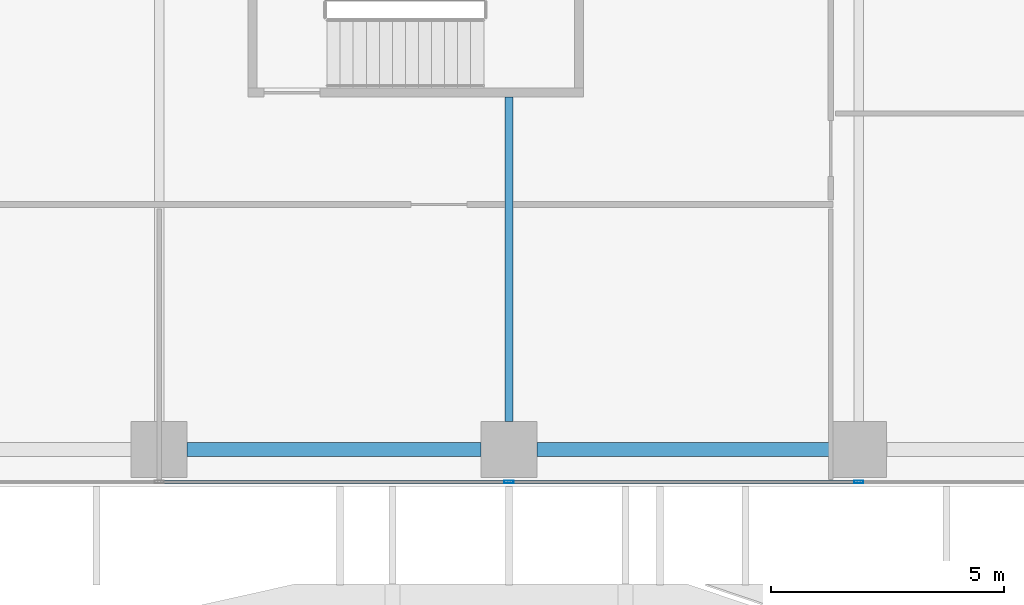
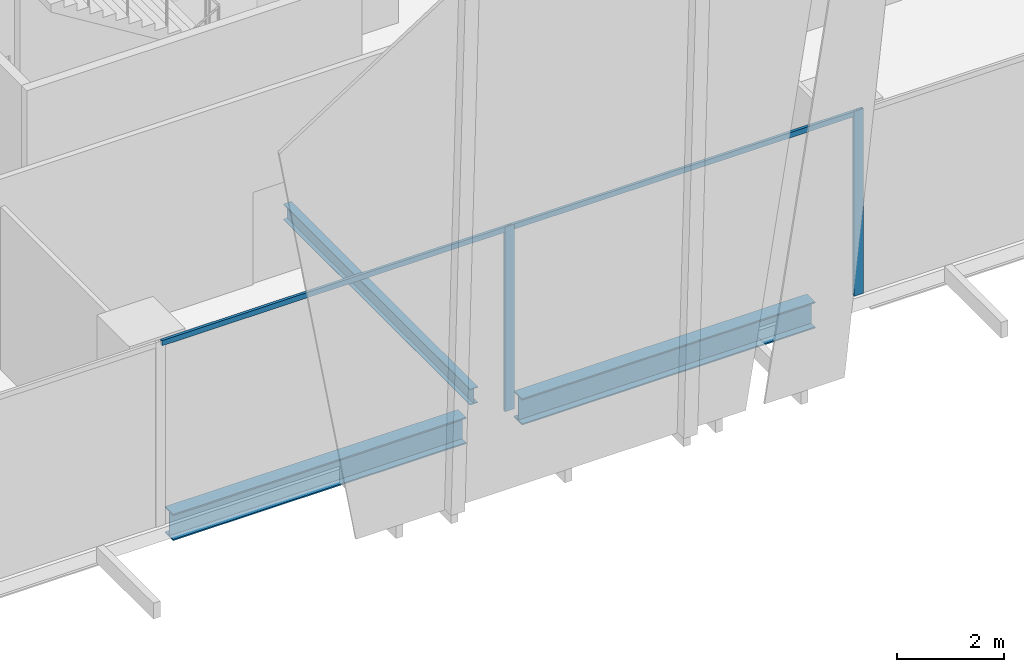
# One storey, part 3 of 37: 4 members, 3 beams, 1 element without a shape of its own.
"""IFC4 building model written with IfcOpenShell, lengths in metres."""

import ifcopenshell
import ifcopenshell.guid

model = None  # the IFC model being written
_history = None  # IfcOwnerHistory: only IFC2X3 demands one
_inside = {}  # id of a spatial element -> (the spatial element, [elements in it])
_under = {}  # id of a project, library or spatial element -> (it, [spatial elements below it])
_declared = {}  # id of a project -> (the project, [libraries it declares])
_typed = {}  # id of a type object -> (the type object, [elements of that type])
_made_of = {}  # id of a material, layer set ... -> (it, [elements and type objects made of it])


def new_model(schema):
    """Start an empty IFC model of exactly this schema.

    Asked for "IFC4X3", IfcOpenShell would pick the latest addendum, in which some entities
    have other attributes; the version numbers below select the first issue.
    IFC2X3 requires an IfcOwnerHistory on every rooted entity: one is made here for all.
    """
    global model, _history
    if schema == "IFC4X3":
        model = ifcopenshell.file(schema_version=(4, 3, 0, 0))
    else:
        model = ifcopenshell.file(schema=schema)
    _inside.clear()
    _under.clear()
    _declared.clear()
    _typed.clear()
    _made_of.clear()
    _history = None
    if model.schema == "IFC2X3":
        org = make("IfcOrganization", Name="unknown")
        user = make(
            "IfcPersonAndOrganization",
            ThePerson=make("IfcPerson", FamilyName="unknown"),
            TheOrganization=org,
        )
        app = make(
            "IfcApplication",
            ApplicationDeveloper=org,
            Version="unknown",
            ApplicationFullName="unknown",
            ApplicationIdentifier="unknown",
        )
        _history = make(
            "IfcOwnerHistory",
            OwningUser=user,
            OwningApplication=app,
            ChangeAction="ADDED",
            CreationDate=0,
        )
    return model


def make(cls, **values):
    """One entity of the class cls with the attributes given. An attribute that is None is left unset."""
    return model.create_entity(
        cls, **{name: value for name, value in values.items() if value is not None}
    )


def rooted(cls, **values):
    """An entity with a GlobalId (a new one), such as an element, a storey or a relation."""
    return make(cls, GlobalId=ifcopenshell.guid.new(), OwnerHistory=_history, **values)


def si_unit(unit_type, name, prefix=None):
    """IfcSIUnit, for example si_unit("LENGTHUNIT", "METRE", prefix="MILLI")."""
    return make("IfcSIUnit", UnitType=unit_type, Prefix=prefix, Name=name)


def assignment(units):
    """IfcUnitAssignment: the units of a project."""
    return None if units is None else make("IfcUnitAssignment", Units=units)


def point(xyz):
    """IfcCartesianPoint."""
    return None if xyz is None else make("IfcCartesianPoint", Coordinates=xyz)


def direction(xyz):
    """IfcDirection."""
    return None if xyz is None else make("IfcDirection", DirectionRatios=xyz)


def frame(location, z_axis=None, x_axis=None):
    """IfcAxis2Placement3D, a coordinate frame: its origin and axes. An axis left out is left unset."""
    return make(
        "IfcAxis2Placement3D",
        Location=point(location),
        Axis=direction(z_axis),
        RefDirection=direction(x_axis),
    )


def frame_2d(location, x_axis=None):
    """IfcAxis2Placement2D, a coordinate frame in the plane: its origin and x axis."""
    return make(
        "IfcAxis2Placement2D", Location=point(location), RefDirection=direction(x_axis)
    )


def origin():
    """The frame at (0, 0, 0) with its axes left unset."""
    return frame((0.0, 0.0, 0.0))


def origin_2d():
    """The frame at (0, 0) in the plane with its x axis left unset."""
    return frame_2d((0.0, 0.0))


def place(relative_to, where):
    """IfcLocalPlacement: puts the frame where relative to a parent placement (None: the world)."""
    return make(
        "IfcLocalPlacement", PlacementRelTo=relative_to, RelativePlacement=where
    )


def context(
    kind, dimensions, precision=None, world=None, true_north=None, identifier=None
):
    """IfcGeometricRepresentationContext, for example the 3D "Model" context."""
    return make(
        "IfcGeometricRepresentationContext",
        ContextIdentifier=identifier,
        ContextType=kind,
        CoordinateSpaceDimension=dimensions,
        Precision=precision,
        WorldCoordinateSystem=world,
        TrueNorth=true_north,
    )


def subcontext(parent, identifier, kind, view, scale=None):
    """IfcGeometricRepresentationSubContext, for example "Body" below "Model"."""
    return make(
        "IfcGeometricRepresentationSubContext",
        ContextIdentifier=identifier,
        ContextType=kind,
        ParentContext=parent,
        TargetScale=scale,
        TargetView=view,
    )


def project(units=None, contexts=None):
    """IfcProject with its units and contexts."""
    return rooted(
        "IfcProject",
        Name="project",
        RepresentationContexts=contexts,
        UnitsInContext=assignment(units),
    )


def spatial(cls, under=None, at=None, **own):
    """A site, building, storey or space (cls), placed at a placement, below another one or the project."""
    s = rooted(cls, ObjectPlacement=at, **own)
    if under is not None:
        _under.setdefault(under.id(), (under, []))[1].append(s)
    return s


def profile(cls, at=None, kind="AREA", **sizes):
    """A parametric profile (cls). Its sizes go by their IFC names, for example OverallWidth=200.0."""
    return make(cls, ProfileType=kind, Position=at, **sizes)


def hollow_rectangle(**sizes):
    """IfcRectangleHollowProfileDef."""
    return profile("IfcRectangleHollowProfileDef", **sizes)


def i_section(**sizes):
    """IfcIShapeProfileDef."""
    return profile("IfcIShapeProfileDef", **sizes)


def extrude(swept, where, along, depth):
    """IfcExtrudedAreaSolid: the profile swept, set in the frame where, extruded along a direction by depth."""
    return make(
        "IfcExtrudedAreaSolid",
        SweptArea=swept,
        Position=where,
        ExtrudedDirection=direction(along),
        Depth=depth,
    )


def shape(context_of_items, identifier, shape_type, items):
    """IfcShapeRepresentation: the items that make up one representation, for example the "Body"."""
    return make(
        "IfcShapeRepresentation",
        ContextOfItems=context_of_items,
        RepresentationIdentifier=identifier,
        RepresentationType=shape_type,
        Items=items,
    )


def source(mapping_origin, context_of_items, identifier, shape_type, items):
    """IfcRepresentationMap: a shape defined once, which mapped items show again and again."""
    return make(
        "IfcRepresentationMap",
        MappingOrigin=mapping_origin,
        MappedRepresentation=shape(context_of_items, identifier, shape_type, items),
    )


def transform(
    local_origin,
    x_axis=None,
    y_axis=None,
    z_axis=None,
    scale=None,
    scale2=None,
    scale3=None,
    uniform=True,
):
    """IfcCartesianTransformationOperator3D, or its non-uniform kind. x_axis, y_axis, z_axis: its Axis1, 2, 3."""
    if uniform:
        return make(
            "IfcCartesianTransformationOperator3D",
            Axis1=direction(x_axis),
            Axis2=direction(y_axis),
            LocalOrigin=point(local_origin),
            Scale=scale,
            Axis3=direction(z_axis),
        )
    return make(
        "IfcCartesianTransformationOperator3DnonUniform",
        Axis1=direction(x_axis),
        Axis2=direction(y_axis),
        LocalOrigin=point(local_origin),
        Scale=scale,
        Axis3=direction(z_axis),
        Scale2=scale2,
        Scale3=scale3,
    )


def mapped(mapping_source, mapping_target):
    """IfcMappedItem: shows the shape of a source again, moved by a transform."""
    return make(
        "IfcMappedItem", MappingSource=mapping_source, MappingTarget=mapping_target
    )


def material(Name=None, Category=None):
    """IfcMaterial."""
    return make("IfcMaterial", Name=Name, Category=Category)


def material_profile(
    of_material, cross_section, Name=None, Category=None, Priority=None
):
    """IfcMaterialProfile: a cross section and its material."""
    return make(
        "IfcMaterialProfile",
        Name=Name,
        Material=of_material,
        Profile=cross_section,
        Priority=Priority,
        Category=Category,
    )


def profile_set(profiles, Name=None, composite=None):
    """IfcMaterialProfileSet."""
    return make(
        "IfcMaterialProfileSet",
        Name=Name,
        MaterialProfiles=profiles,
        CompositeProfile=composite,
    )


def made_of(thing, what):
    """Note that an element or type object is made of a material, layer set ...; save() writes the relation."""
    if what is not None:
        _made_of.setdefault(what.id(), (what, []))[1].append(thing)
    return thing


def type_object(cls, material=None, **own):
    """A type object (cls), such as IfcWallType, which elements share."""
    return made_of(rooted(cls, **own), material)


def element(
    cls,
    number,
    at=None,
    inside=None,
    cuts=None,
    type_object=None,
    material=None,
    context=None,
    identifier="Body",
    shape_type=None,
    held_by="IfcProductDefinitionShape",
    body=None,
    shapes=None,
    **own,
):
    """One element of the class cls, such as IfcWall. Its Tag is "e" and its number.

    at: its placement. inside: the storey or other place that contains it. cuts: it is an
    opening in that element (IfcRelVoidsElement). A single representation is given by context,
    identifier, shape_type and body (its items); several are given by shapes. held_by: the class
    of the entity that holds the representations. save() writes the other relations.
    """
    e = rooted(cls, Tag="e%d" % number, ObjectPlacement=at, **own)
    if body is not None:
        shapes = [shape(context, identifier, shape_type, body)]
    if shapes is not None:
        e.Representation = make(held_by, Representations=shapes)
    if inside is not None:
        _inside.setdefault(inside.id(), (inside, []))[1].append(e)
    if cuts is not None:
        rooted(
            "IfcRelVoidsElement", RelatingBuildingElement=cuts, RelatedOpeningElement=e
        )
    if type_object is not None:
        _typed.setdefault(type_object.id(), (type_object, []))[1].append(e)
    return made_of(e, material)


def aggregate(whole, parts):
    """IfcRelAggregates: a whole, such as a stair, and the parts it consists of."""
    return rooted("IfcRelAggregates", RelatingObject=whole, RelatedObjects=parts)


def save(model, path):
    """Write the relations noted so far, then the file.

    IfcRelAggregates (storeys below a building ...), IfcRelContainedInSpatialStructure (elements
    in a storey), IfcRelDefinesByType, IfcRelAssociatesMaterial and IfcRelDeclares: one each for
    every whole, place, type object, material and project.
    """
    for whole, parts in _under.values():
        aggregate(whole, parts)
    for where, things in _inside.values():
        rooted(
            "IfcRelContainedInSpatialStructure",
            RelatedElements=things,
            RelatingStructure=where,
        )
    for kind, things in _typed.values():
        rooted("IfcRelDefinesByType", RelatedObjects=things, RelatingType=kind)
    for what, things in _made_of.values():
        rooted("IfcRelAssociatesMaterial", RelatedObjects=things, RelatingMaterial=what)
    for by, libraries in _declared.values():
        rooted("IfcRelDeclares", RelatingContext=by, RelatedDefinitions=libraries)
    model.write(path)


model = new_model("IFC4")

# Units and contexts
model_context = context("Model", 3, precision=1e-05, world=origin(), true_north=direction((0.0, 1.0)))
body_context = subcontext(model_context, "Body", "Model", "MODEL_VIEW")
ifc_project = project(units=[si_unit("LENGTHUNIT", "METRE"), si_unit("AREAUNIT", "SQUARE_METRE"), si_unit("VOLUMEUNIT", "CUBIC_METRE"), si_unit("PLANEANGLEUNIT", "RADIAN"), si_unit("MASSUNIT", "GRAM", prefix="KILO")], contexts=[model_context])

# Site, building, storey
site_placement = place(None, origin())
site = spatial("IfcSite", under=ifc_project, at=site_placement, CompositionType="ELEMENT")
building_placement = place(site_placement, origin())
building = spatial("IfcBuilding", under=site, at=building_placement, Name="Khomas Fold Tower", CompositionType="ELEMENT")
storey_placement = place(building_placement, frame((0.0, 0.0, 60.0)))
storey = spatial("IfcBuildingStorey", under=building, at=storey_placement, Name="L12", CompositionType="ELEMENT", Elevation=60.0)

# Beams
ifc_material_1 = material(Name="Steel S355", Category="steel")
ifc_material_profile_1 = material_profile(ifc_material_1, i_section(OverallWidth=0.169921875, OverallDepth=0.360107421875, WebThickness=0.008056640625, FlangeThickness=0.0126953125, at=origin_2d()), Name="IPE 360")
ifc_profile_set_1 = profile_set([ifc_material_profile_1], Name="Steel S355")
beam_type_1 = type_object("IfcBeamType", Name="IPE 360 beam JB2", PredefinedType="BEAM", material=ifc_profile_set_1)
shared_shape_1 = source(origin(), body_context, "Body", "SweptSolid", [
    extrude(i_section(OverallWidth=0.169921875, OverallDepth=0.360107421875, WebThickness=0.008056640625, FlangeThickness=0.0126953125, at=origin_2d()), origin(), (0.0, 0.0, 1.0), 6.9501953125),
])
beam_placement = place(storey_placement, frame((19.5, 1.39990234375, -0.47998046875), z_axis=(0.0, 1.0, 0.0), x_axis=(-1.0, 0.0, 0.0)))
element("IfcBeam", 1, at=beam_placement, inside=storey, type_object=beam_type_1, Name="JB2", PredefinedType="BEAM", context=body_context, shape_type="MappedRepresentation", body=[
    mapped(shared_shape_1, transform((0.0, 0.0, 0.0))),
])
ifc_material_2 = material(Name="Steel S355", Category="steel")
ifc_material_profile_2 = material_profile(ifc_material_2, i_section(OverallWidth=0.300048828125, OverallDepth=0.60009765625, WebThickness=0.015380859375, FlangeThickness=0.030029296875, at=origin_2d()), Name="HE 600 B")
ifc_profile_set_2 = profile_set([ifc_material_profile_2], Name="Steel S355")
beam_type_2 = type_object("IfcBeamType", Name="HE 600 B spandrel SB1", PredefinedType="SPANDREL", material=ifc_profile_set_2)
shared_shape_2 = source(origin(), body_context, "Body", "SweptSolid", [
    extrude(i_section(OverallWidth=0.300048828125, OverallDepth=0.60009765625, WebThickness=0.015380859375, FlangeThickness=0.030029296875, at=origin_2d()), origin(), (0.0, 0.0, 1.0), 6.2998046875),
])
for number, where, z_axis, x_axis, name in (
    (2, (12.60009765625, 0.800048828125, -0.60009765625), (1.0, 0.0, 0.0), (0.0, 1.0, 0.0), "SB1"),
    (3, (20.10009765625, 0.800048828125, -0.60009765625), (1.0, 0.0, 0.0), (0.0, 1.0, 0.0), "SB1"),
):
    element("IfcBeam", number, at=place(storey_placement, frame(where, z_axis=z_axis, x_axis=x_axis)), inside=storey, type_object=beam_type_2, Name=name, PredefinedType="SPANDREL", context=body_context, shape_type="MappedRepresentation", body=[
        mapped(shared_shape_2, transform((0.0, 0.0, 0.0))),
    ])

# Curtain wall, members
ifc_material_3 = material(Name="Aluminium framed double glazing", Category="aluminium")
curtain_wall_type = type_object("IfcCurtainWallType", Name="SK-Unitised clear-glass wall, growing floors CW1", PredefinedType="NOTDEFINED", material=ifc_material_3)
curtain_wall_placement = place(storey_placement, origin())
curtain_wall = element("IfcCurtainWall", 4, at=curtain_wall_placement, inside=storey, type_object=curtain_wall_type, Name="CW1 run L12 00-0", PredefinedType="NOTDEFINED")
ifc_material_4 = material(Name="Aluminium", Category="aluminium")
ifc_material_profile_3 = material_profile(ifc_material_4, hollow_rectangle(XDim=0.06005859375, YDim=0.1201171875, WallThickness=0.00390625, at=origin_2d()), Name="SK-Unitised clear-glass wall, growing floors transom CW1-T")
ifc_profile_set_3 = profile_set([ifc_material_profile_3], Name="Aluminium")
member_type_1 = type_object("IfcMemberType", Name="SK-Unitised clear-glass wall, growing floors transom CW1-T", PredefinedType="USERDEFINED", material=ifc_profile_set_3)
shared_shape_3 = source(origin(), body_context, "Body", "SweptSolid", [
    extrude(hollow_rectangle(XDim=0.06005859375, YDim=0.1201171875, WallThickness=0.00390625, at=origin_2d()), origin(), (0.0, 0.0, 1.0), 7.43994140625),
])
member_1_placement = place(storey_placement, frame((12.030029296875, 0.10009765625, 4.139892578125), z_axis=(1.0, 0.0, 0.0), x_axis=(0.0, 1.0, 0.0)))
member_1 = element("IfcMember", 5, at=member_1_placement, type_object=member_type_1, Name="CW1 transom 3", ObjectType="TRANSOM", PredefinedType="USERDEFINED", context=body_context, shape_type="MappedRepresentation", body=[
    mapped(shared_shape_3, transform((0.0, 0.0, 0.0))),
])
member_2_placement = place(storey_placement, frame((19.530029296875, 0.10009765625, 4.139892578125), z_axis=(1.0, 0.0, 0.0), x_axis=(0.0, 1.0, 0.0)))
member_2 = element("IfcMember", 6, at=member_2_placement, type_object=member_type_1, Name="CW1 transom 4", ObjectType="TRANSOM", PredefinedType="USERDEFINED", context=body_context, shape_type="MappedRepresentation", body=[
    mapped(shared_shape_3, transform((0.0, 0.0, 0.0))),
])
ifc_material_5 = material(Name="Aluminium", Category="aluminium")
ifc_material_profile_4 = material_profile(ifc_material_5, hollow_rectangle(XDim=0.06005859375, YDim=0.199951171875, WallThickness=0.00390625, at=origin_2d()), Name="SK-Unitised clear-glass wall, growing floors mullion CW1-M")
ifc_profile_set_4 = profile_set([ifc_material_profile_4], Name="Aluminium")
member_type_2 = type_object("IfcMemberType", Name="SK-Unitised clear-glass wall, growing floors mullion CW1-M", PredefinedType="MULLION", material=ifc_profile_set_4)
shared_shape_4 = source(origin(), body_context, "Body", "SweptSolid", [
    extrude(hollow_rectangle(XDim=0.06005859375, YDim=0.199951171875, WallThickness=0.00390625, at=origin_2d()), origin(), (0.0, 0.0, 1.0), 4.199951171875),
])
member_3_placement = place(storey_placement, frame((19.5, 0.10009765625, 0.0), z_axis=(0.0, 0.0, 1.0), x_axis=(0.0, 1.0, 0.0)))
member_3 = element("IfcMember", 7, at=member_3_placement, type_object=member_type_2, Name="CW1 mullion 4", PredefinedType="MULLION", context=body_context, shape_type="MappedRepresentation", body=[
    mapped(shared_shape_4, transform((0.0, 0.0, 0.0))),
])
member_4_placement = place(storey_placement, frame((27.0, 0.10009765625, 0.0), z_axis=(0.0, 0.0, 1.0), x_axis=(0.0, 1.0, 0.0)))
member_4 = element("IfcMember", 8, at=member_4_placement, type_object=member_type_2, Name="CW1 mullion 5", PredefinedType="MULLION", context=body_context, shape_type="MappedRepresentation", body=[
    mapped(shared_shape_4, transform((0.0, 0.0, 0.0))),
])
aggregate(curtain_wall, [member_3, member_4, member_1, member_2])

save(model, "model.ifc")
